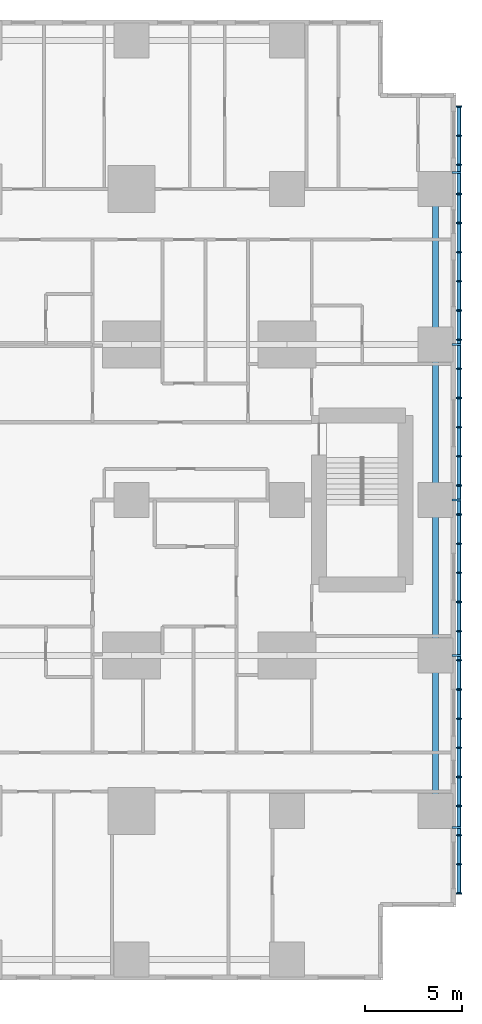
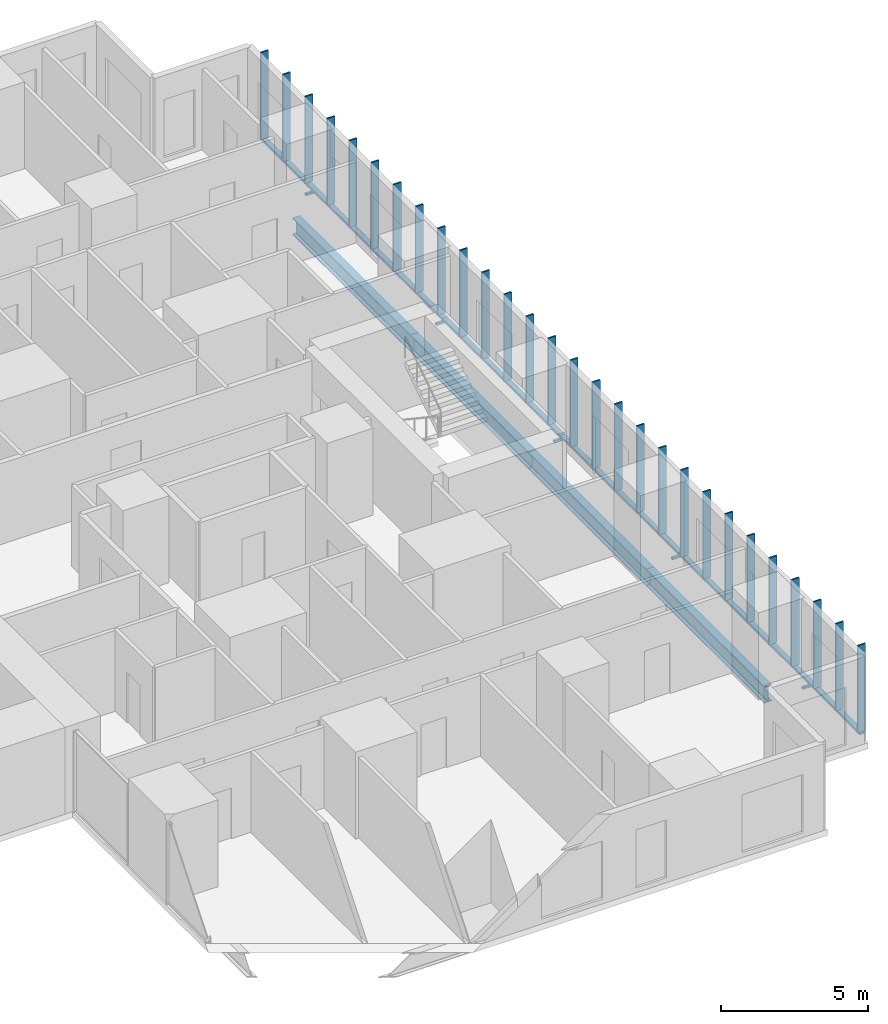
# One storey, part 6 of 16: 37 members, 4 beams.
"""IFC4 building model written with IfcOpenShell, lengths in metres."""

from ifc_helpers import new_model, si_unit, direction, frame, origin, origin_2d, place, context, subcontext, project, spatial, rectangle, hollow_rectangle, i_section, extrude, material, material_profile, profile_set, type_object, element, save


model = new_model("IFC4")

# Units and contexts
model_context = context("Model", 3, precision=1e-05, world=origin(), true_north=direction((0.0, 1.0)))
body_context = subcontext(model_context, "Body", "Model", "MODEL_VIEW")
ifc_project = project(units=[si_unit("LENGTHUNIT", "METRE"), si_unit("AREAUNIT", "SQUARE_METRE"), si_unit("VOLUMEUNIT", "CUBIC_METRE"), si_unit("PLANEANGLEUNIT", "RADIAN"), si_unit("MASSUNIT", "GRAM", prefix="KILO")], contexts=[model_context])

# Site, building, storey
site_placement = place(None, origin())
site = spatial("IfcSite", under=ifc_project, at=site_placement, CompositionType="ELEMENT")
building_placement = place(site_placement, origin())
building = spatial("IfcBuilding", under=site, at=building_placement, Name="Cleftline Residences", CompositionType="ELEMENT")
storey_placement = place(building_placement, frame((0.0, 0.0, 218.199951171875)))
storey = spatial("IfcBuildingStorey", under=building, at=storey_placement, Name="L57", CompositionType="ELEMENT", Elevation=218.199951171875)

# Members
ifc_material_1 = material(Name="Steel S355, hot-dip galvanised", Category="steel")
ifc_material_profile_1 = material_profile(ifc_material_1, hollow_rectangle(XDim=0.10009765625, YDim=0.10009765625, WallThickness=0.008056640625, InnerFilletRadius=0.008056640625, OuterFilletRadius=0.011962890625, at=origin_2d()))
ifc_profile_set_1 = profile_set([ifc_material_profile_1], Name="Steel S355, hot-dip galvanised")
member_type_1 = type_object("IfcMemberType", Name="BAGUETTE BRACKET SHS 100X100X8", PredefinedType="USERDEFINED", material=ifc_profile_set_1)
for number, where, z_axis, x_axis, name in (
    (1, (66.5, 7.14990234375, -0.14990234375), (1.0, 0.0, 0.0), (0.0, 1.0, 0.0), "Baguette bracket"),
    (2, (66.5, 16.0, -0.14990234375), (1.0, 0.0, 0.0), (0.0, 1.0, 0.0), "Baguette bracket"),
    (3, (66.5, 24.0, -0.14990234375), (1.0, 0.0, 0.0), (0.0, 1.0, 0.0), "Baguette bracket"),
    (4, (66.5, 32.0, -0.14990234375), (1.0, 0.0, 0.0), (0.0, 1.0, 0.0), "Baguette bracket"),
    (5, (66.5, 40.85009765625, -0.14990234375), (1.0, 0.0, 0.0), (0.0, 1.0, 0.0), "Baguette bracket"),
):
    element("IfcMember", number, at=place(storey_placement, frame(where, z_axis=z_axis, x_axis=x_axis)), inside=storey, type_object=member_type_1, Name=name, ObjectType="BAGUETTE BRACKET", PredefinedType="USERDEFINED", context=body_context, shape_type="SweptSolid", body=[
        extrude(hollow_rectangle(XDim=0.10009765625, YDim=0.10009765625, WallThickness=0.008056640625, InnerFilletRadius=0.008056640625, OuterFilletRadius=0.011962890625, at=origin_2d()), origin(), (0.0, 0.0, 1.0), 0.449951171875),
    ])
ifc_material_2 = material(Name="Steel S355, hot-dip galvanised", Category="steel")
ifc_material_profile_2 = material_profile(ifc_material_2, hollow_rectangle(XDim=0.10009765625, YDim=0.199951171875, WallThickness=0.008056640625, InnerFilletRadius=0.008056640625, OuterFilletRadius=0.011962890625, at=origin_2d()))
ifc_profile_set_2 = profile_set([ifc_material_profile_2], Name="Steel S355, hot-dip galvanised")
member_type_2 = type_object("IfcMemberType", Name="BAGUETTE CARRIER RHS 200X100X8", PredefinedType="USERDEFINED", material=ifc_profile_set_2)
member_1_placement = place(storey_placement, frame((66.85009765625, 3.699951171875, -0.050048828125), z_axis=(0.0, 1.0, 0.0), x_axis=(0.0, 0.0, 1.0)))
element("IfcMember", 6, at=member_1_placement, inside=storey, type_object=member_type_2, Name="Baguette carrier", ObjectType="BAGUETTE CARRIER", PredefinedType="USERDEFINED", context=body_context, shape_type="SweptSolid", body=[
    extrude(hollow_rectangle(XDim=0.10009765625, YDim=0.199951171875, WallThickness=0.008056640625, InnerFilletRadius=0.008056640625, OuterFilletRadius=0.011962890625, at=origin_2d()), origin(), (0.0, 0.0, 1.0), 12.300048828125),
])
for number, where, z_axis, x_axis, name in (
    (7, (66.85009765625, 16.0, -0.050048828125), (0.0, 1.0, 0.0), (0.0, 0.0, 1.0), "Baguette carrier"),
    (8, (66.85009765625, 24.0, -0.050048828125), (0.0, 1.0, 0.0), (0.0, 0.0, 1.0), "Baguette carrier"),
):
    element("IfcMember", number, at=place(storey_placement, frame(where, z_axis=z_axis, x_axis=x_axis)), inside=storey, type_object=member_type_2, Name=name, ObjectType="BAGUETTE CARRIER", PredefinedType="USERDEFINED", context=body_context, shape_type="SweptSolid", body=[
        extrude(hollow_rectangle(XDim=0.10009765625, YDim=0.199951171875, WallThickness=0.008056640625, InnerFilletRadius=0.008056640625, OuterFilletRadius=0.011962890625, at=origin_2d()), origin(), (0.0, 0.0, 1.0), 8.0),
    ])
member_2_placement = place(storey_placement, frame((66.85009765625, 32.0, -0.050048828125), z_axis=(0.0, 1.0, 0.0), x_axis=(0.0, 0.0, 1.0)))
element("IfcMember", 9, at=member_2_placement, inside=storey, type_object=member_type_2, Name="Baguette carrier", ObjectType="BAGUETTE CARRIER", PredefinedType="USERDEFINED", context=body_context, shape_type="SweptSolid", body=[
    extrude(hollow_rectangle(XDim=0.10009765625, YDim=0.199951171875, WallThickness=0.008056640625, InnerFilletRadius=0.008056640625, OuterFilletRadius=0.011962890625, at=origin_2d()), origin(), (0.0, 0.0, 1.0), 12.300048828125),
])

# Beams
ifc_material_3 = material(Name="Steel S355", Category="steel")
ifc_material_profile_3 = material_profile(ifc_material_3, i_section(OverallWidth=0.300048828125, OverallDepth=0.699951171875, WebThickness=0.01708984375, FlangeThickness=0.031982421875, FilletRadius=0.027099609375, at=origin_2d()))
ifc_profile_set_3 = profile_set([ifc_material_profile_3], Name="Steel S355")
beam_type = type_object("IfcBeamType", Name="BEAM HEB 700", PredefinedType="BEAM", material=ifc_profile_set_3)
for number, where, z_axis, x_axis, name in (
    (10, (65.64990234375, 8.0, -0.599853515625), (0.0, 1.0, 0.0), (-1.0, 0.0, 0.0), "Edge beam"),
    (11, (65.64990234375, 16.0, -0.599853515625), (0.0, 1.0, 0.0), (-1.0, 0.0, 0.0), "Edge beam"),
    (12, (65.64990234375, 24.0, -0.599853515625), (0.0, 1.0, 0.0), (-1.0, 0.0, 0.0), "Edge beam"),
    (13, (65.64990234375, 32.0, -0.599853515625), (0.0, 1.0, 0.0), (-1.0, 0.0, 0.0), "Edge beam"),
):
    element("IfcBeam", number, at=place(storey_placement, frame(where, z_axis=z_axis, x_axis=x_axis)), inside=storey, type_object=beam_type, Name=name, PredefinedType="BEAM", context=body_context, shape_type="SweptSolid", body=[
        extrude(i_section(OverallWidth=0.300048828125, OverallDepth=0.699951171875, WebThickness=0.01708984375, FlangeThickness=0.031982421875, FilletRadius=0.027099609375, at=origin_2d()), origin(), (0.0, 0.0, 1.0), 8.0),
    ])

# Members
ifc_material_4 = material(Name="Extruded terracotta", Category="masonry")
ifc_material_profile_4 = material_profile(ifc_material_4, rectangle(XDim=0.06005859375, YDim=0.300048828125, at=origin_2d()))
ifc_profile_set_4 = profile_set([ifc_material_profile_4], Name="Extruded terracotta")
member_type_3 = type_object("IfcMemberType", Name="TERRACOTTA BAGUETTE 60X300", PredefinedType="USERDEFINED", material=ifc_profile_set_4)
for number, where, z_axis, x_axis, name in (
    (14, (66.85009765625, 3.75, 0.0), (0.0, 0.0, 1.0), (0.0, 1.0, 0.0), "Terracotta baguette"),
    (15, (66.85009765625, 5.25, 0.0), (0.0, 0.0, 1.0), (0.0, 1.0, 0.0), "Terracotta baguette"),
    (16, (66.85009765625, 6.75, 0.0), (0.0, 0.0, 1.0), (0.0, 1.0, 0.0), "Terracotta baguette"),
    (17, (66.85009765625, 8.25, 0.0), (0.0, 0.0, 1.0), (0.0, 1.0, 0.0), "Terracotta baguette"),
    (18, (66.85009765625, 9.75, 0.0), (0.0, 0.0, 1.0), (0.0, 1.0, 0.0), "Terracotta baguette"),
    (19, (66.85009765625, 11.25, 0.0), (0.0, 0.0, 1.0), (0.0, 1.0, 0.0), "Terracotta baguette"),
    (20, (66.85009765625, 12.75, 0.0), (0.0, 0.0, 1.0), (0.0, 1.0, 0.0), "Terracotta baguette"),
    (21, (66.85009765625, 14.25, 0.0), (0.0, 0.0, 1.0), (0.0, 1.0, 0.0), "Terracotta baguette"),
    (22, (66.85009765625, 15.75, 0.0), (0.0, 0.0, 1.0), (0.0, 1.0, 0.0), "Terracotta baguette"),
    (23, (66.85009765625, 17.25, 0.0), (0.0, 0.0, 1.0), (0.0, 1.0, 0.0), "Terracotta baguette"),
    (24, (66.85009765625, 18.75, 0.0), (0.0, 0.0, 1.0), (0.0, 1.0, 0.0), "Terracotta baguette"),
    (25, (66.85009765625, 20.25, 0.0), (0.0, 0.0, 1.0), (0.0, 1.0, 0.0), "Terracotta baguette"),
    (26, (66.85009765625, 21.75, 0.0), (0.0, 0.0, 1.0), (0.0, 1.0, 0.0), "Terracotta baguette"),
    (27, (66.85009765625, 23.25, 0.0), (0.0, 0.0, 1.0), (0.0, 1.0, 0.0), "Terracotta baguette"),
    (28, (66.85009765625, 24.75, 0.0), (0.0, 0.0, 1.0), (0.0, 1.0, 0.0), "Terracotta baguette"),
    (29, (66.85009765625, 26.25, 0.0), (0.0, 0.0, 1.0), (0.0, 1.0, 0.0), "Terracotta baguette"),
    (30, (66.85009765625, 27.75, 0.0), (0.0, 0.0, 1.0), (0.0, 1.0, 0.0), "Terracotta baguette"),
    (31, (66.85009765625, 29.25, 0.0), (0.0, 0.0, 1.0), (0.0, 1.0, 0.0), "Terracotta baguette"),
    (32, (66.85009765625, 30.75, 0.0), (0.0, 0.0, 1.0), (0.0, 1.0, 0.0), "Terracotta baguette"),
    (33, (66.85009765625, 32.25, 0.0), (0.0, 0.0, 1.0), (0.0, 1.0, 0.0), "Terracotta baguette"),
    (34, (66.85009765625, 33.75, 0.0), (0.0, 0.0, 1.0), (0.0, 1.0, 0.0), "Terracotta baguette"),
    (35, (66.85009765625, 35.25, 0.0), (0.0, 0.0, 1.0), (0.0, 1.0, 0.0), "Terracotta baguette"),
    (36, (66.85009765625, 36.75, 0.0), (0.0, 0.0, 1.0), (0.0, 1.0, 0.0), "Terracotta baguette"),
    (37, (66.85009765625, 38.25, 0.0), (0.0, 0.0, 1.0), (0.0, 1.0, 0.0), "Terracotta baguette"),
    (38, (66.85009765625, 39.75, 0.0), (0.0, 0.0, 1.0), (0.0, 1.0, 0.0), "Terracotta baguette"),
    (39, (66.85009765625, 41.25, 0.0), (0.0, 0.0, 1.0), (0.0, 1.0, 0.0), "Terracotta baguette"),
    (40, (66.85009765625, 42.75, 0.0), (0.0, 0.0, 1.0), (0.0, 1.0, 0.0), "Terracotta baguette"),
    (41, (66.85009765625, 44.25, 0.0), (0.0, 0.0, 1.0), (0.0, 1.0, 0.0), "Terracotta baguette"),
):
    element("IfcMember", number, at=place(storey_placement, frame(where, z_axis=z_axis, x_axis=x_axis)), inside=storey, type_object=member_type_3, Name=name, ObjectType="BAGUETTE", PredefinedType="USERDEFINED", context=body_context, shape_type="SweptSolid", body=[
        extrude(rectangle(XDim=0.06005859375, YDim=0.300048828125, at=origin_2d()), origin(), (0.0, 0.0, 1.0), 3.60009765625),
    ])

save(model, "model.ifc")
